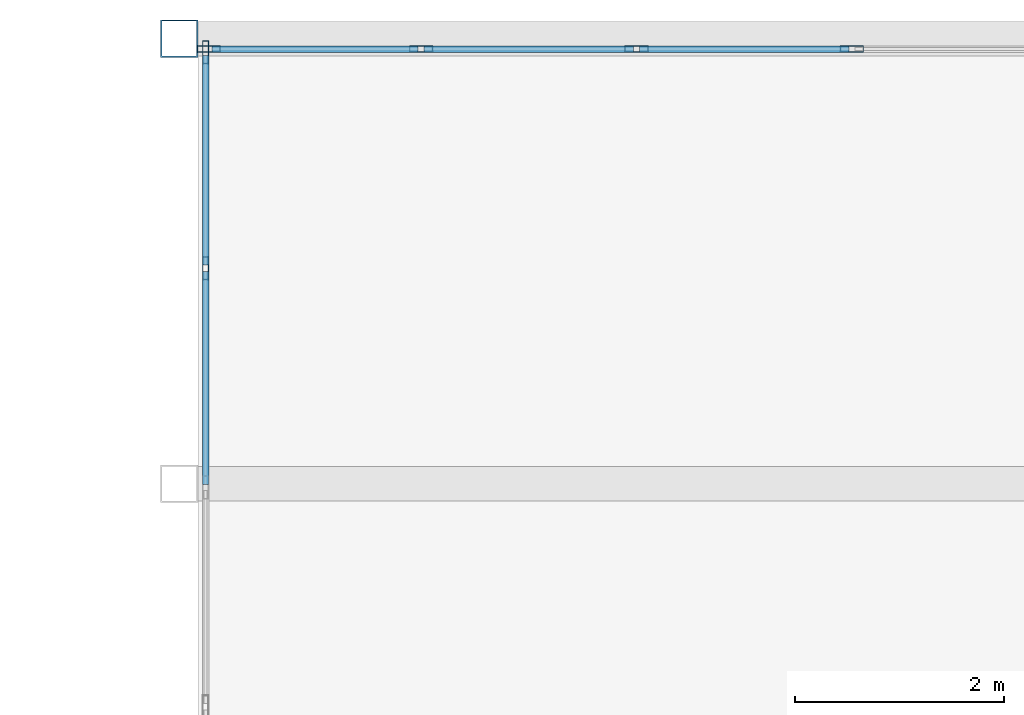
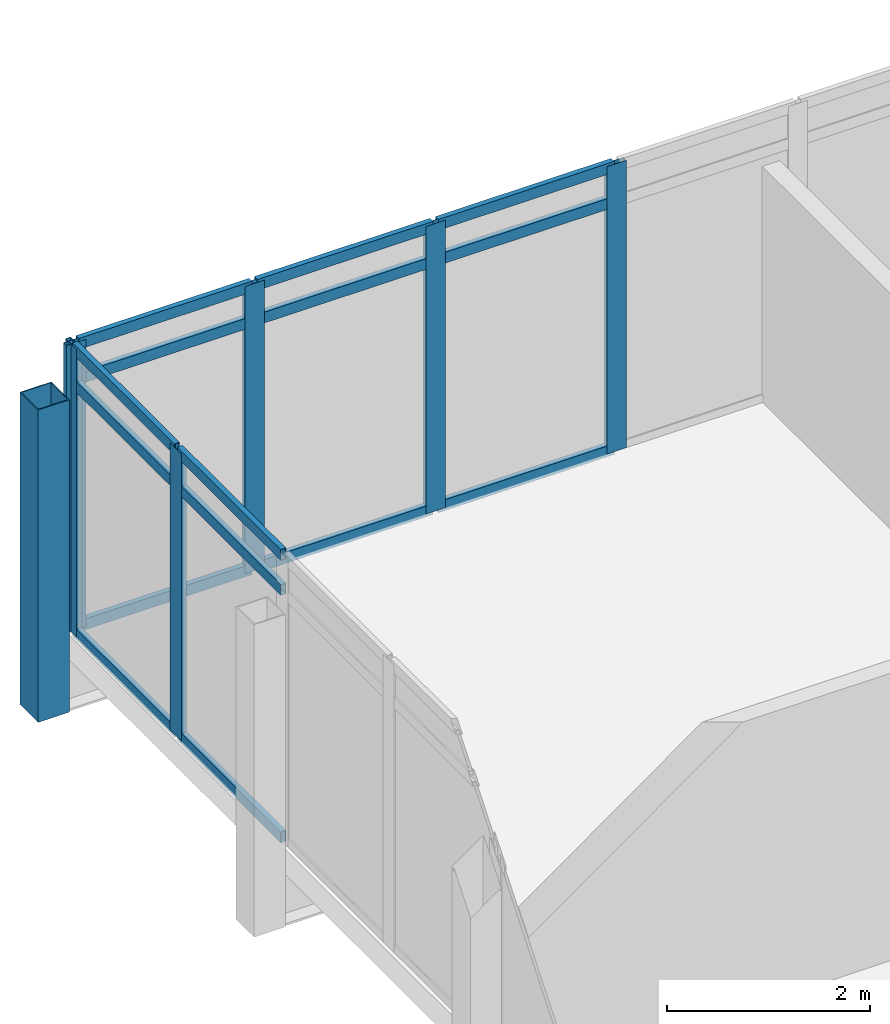
# One storey, part 18 of 38: 22 members, 2 elements without a shape of their own.
"""IFC4 building model written with IfcOpenShell, lengths in metres."""

from ifc_helpers import new_model, si_unit, direction, frame, origin, origin_2d, place, context, subcontext, project, spatial, hollow_rectangle, extrude, material, material_profile, profile_set, type_object, element, aggregate, save


model = new_model("IFC4")

# Units and contexts
model_context = context("Model", 3, precision=1e-05, world=origin(), true_north=direction((0.0, 1.0)))
body_context = subcontext(model_context, "Body", "Model", "MODEL_VIEW")
ifc_project = project(units=[si_unit("LENGTHUNIT", "METRE"), si_unit("AREAUNIT", "SQUARE_METRE"), si_unit("VOLUMEUNIT", "CUBIC_METRE"), si_unit("PLANEANGLEUNIT", "RADIAN"), si_unit("MASSUNIT", "GRAM", prefix="KILO")], contexts=[model_context])

# Site, building, storey
site_placement = place(None, origin())
site = spatial("IfcSite", under=ifc_project, at=site_placement, CompositionType="ELEMENT")
building_placement = place(site_placement, origin())
building = spatial("IfcBuilding", under=site, at=building_placement, Name="Ostrander Bayou Hotel Tower", CompositionType="ELEMENT")
storey_placement = place(building_placement, frame((0.0, 0.0, 96.75)))
storey = spatial("IfcBuildingStorey", under=building, at=storey_placement, Name="L24", CompositionType="ELEMENT", Elevation=96.75)

# Curtain wall, members
ifc_material_1 = material(Name="Aluminium and clear glass", Category="aluminium")
curtain_wall_type = type_object("IfcCurtainWallType", Name="CW-BAR glazed wall", PredefinedType="NOTDEFINED", material=ifc_material_1)
curtain_wall_1_placement = place(storey_placement, origin())
curtain_wall_1 = element("IfcCurtainWall", 1, at=curtain_wall_1_placement, inside=storey, type_object=curtain_wall_type, Name="CW-BAR L24:SB2N:E", PredefinedType="NOTDEFINED")
ifc_material_2 = material(Name="Aluminium", Category="aluminium")
ifc_material_profile_1 = material_profile(ifc_material_2, hollow_rectangle(XDim=0.06005859375, YDim=0.219970703125, WallThickness=0.00390625, at=origin_2d()))
ifc_profile_set_1 = profile_set([ifc_material_profile_1], Name="Aluminium")
member_type_1 = type_object("IfcMemberType", Name="CW-BR mullion 60 x 220 mm", PredefinedType="MULLION", material=ifc_profile_set_1)
member_1_placement = place(storey_placement, frame((-13.3671875, 29.352783203125, 0.0), z_axis=(0.0, 0.0, 1.0), x_axis=(-1.0, 0.0, 0.0)))
member_1 = element("IfcMember", 2, at=member_1_placement, type_object=member_type_1, Name="CW-BAR mullion 10", PredefinedType="MULLION", context=body_context, shape_type="SweptSolid", body=[
    extrude(hollow_rectangle(XDim=0.06005859375, YDim=0.219970703125, WallThickness=0.00390625, at=origin_2d()), origin(), (0.0, 0.0, 1.0), 3.449951171875),
])
member_2_placement = place(storey_placement, frame((-13.3671875, 31.415283203125, 0.0), z_axis=(0.0, 0.0, 1.0), x_axis=(-1.0, 0.0, 0.0)))
member_2 = element("IfcMember", 3, at=member_2_placement, type_object=member_type_1, Name="CW-BAR mullion 11", PredefinedType="MULLION", context=body_context, shape_type="SweptSolid", body=[
    extrude(hollow_rectangle(XDim=0.06005859375, YDim=0.219970703125, WallThickness=0.00390625, at=origin_2d()), origin(), (0.0, 0.0, 1.0), 3.449951171875),
])

curtain_wall_2_placement = place(storey_placement, origin())
curtain_wall_2 = element("IfcCurtainWall", 4, at=curtain_wall_2_placement, inside=storey, type_object=curtain_wall_type, Name="CW-BAR L24:SB2N:T", PredefinedType="NOTDEFINED")
member_3_placement = place(storey_placement, frame((-13.337158203125, 31.4453125, 0.0), z_axis=(0.0, 0.0, 1.0), x_axis=(0.0, 1.0, 0.0)))
member_3 = element("IfcMember", 5, at=member_3_placement, type_object=member_type_1, Name="CW-BAR mullion 1", PredefinedType="MULLION", context=body_context, shape_type="SweptSolid", body=[
    extrude(hollow_rectangle(XDim=0.06005859375, YDim=0.219970703125, WallThickness=0.00390625, at=origin_2d()), origin(), (0.0, 0.0, 1.0), 3.449951171875),
])
member_4_placement = place(storey_placement, frame((-11.310791015625, 31.4453125, 0.0), z_axis=(0.0, 0.0, 1.0), x_axis=(0.0, 1.0, 0.0)))
member_4 = element("IfcMember", 6, at=member_4_placement, type_object=member_type_1, Name="CW-BAR mullion 2", PredefinedType="MULLION", context=body_context, shape_type="SweptSolid", body=[
    extrude(hollow_rectangle(XDim=0.06005859375, YDim=0.219970703125, WallThickness=0.00390625, at=origin_2d()), origin(), (0.0, 0.0, 1.0), 3.449951171875),
])
member_5_placement = place(storey_placement, frame((-9.254150390625, 31.4453125, 0.0), z_axis=(0.0, 0.0, 1.0), x_axis=(0.0, 1.0, 0.0)))
member_5 = element("IfcMember", 7, at=member_5_placement, type_object=member_type_1, Name="CW-BAR mullion 3", PredefinedType="MULLION", context=body_context, shape_type="SweptSolid", body=[
    extrude(hollow_rectangle(XDim=0.06005859375, YDim=0.219970703125, WallThickness=0.00390625, at=origin_2d()), origin(), (0.0, 0.0, 1.0), 3.449951171875),
])
member_6_placement = place(storey_placement, frame((-7.19775390625, 31.4453125, 0.0), z_axis=(0.0, 0.0, 1.0), x_axis=(0.0, 1.0, 0.0)))
member_6 = element("IfcMember", 8, at=member_6_placement, type_object=member_type_1, Name="CW-BAR mullion 4", PredefinedType="MULLION", context=body_context, shape_type="SweptSolid", body=[
    extrude(hollow_rectangle(XDim=0.06005859375, YDim=0.219970703125, WallThickness=0.00390625, at=origin_2d()), origin(), (0.0, 0.0, 1.0), 3.449951171875),
])

# Member
ifc_material_3 = material(Name="Aluminium", Category="aluminium")
ifc_material_profile_2 = material_profile(ifc_material_3, hollow_rectangle(XDim=0.06005859375, YDim=0.1298828125, WallThickness=0.00390625, at=origin_2d()))
ifc_profile_set_2 = profile_set([ifc_material_profile_2], Name="Aluminium")
member_type_2 = type_object("IfcMemberType", Name="CW-BR transom 60 x 130 mm", PredefinedType="USERDEFINED", material=ifc_profile_set_2)
member_7_placement = place(storey_placement, frame((-13.3671875, 27.290283203125, 0.030029296875), z_axis=(0.0, 1.0, 0.0), x_axis=(-1.0, 0.0, 0.0)))
member_7 = element("IfcMember", 9, at=member_7_placement, type_object=member_type_2, Name="CW-BAR transom 9.1", ObjectType="TRANSOM", PredefinedType="USERDEFINED", context=body_context, shape_type="SweptSolid", body=[
    extrude(hollow_rectangle(XDim=0.06005859375, YDim=0.1298828125, WallThickness=0.00390625, at=origin_2d()), origin(), (0.0, 0.0, 1.0), 2.032470703125),
])

member_8_placement = place(storey_placement, frame((-13.3671875, 27.290283203125, 3.0), z_axis=(0.0, 1.0, 0.0), x_axis=(-1.0, 0.0, 0.0)))
member_8 = element("IfcMember", 10, at=member_8_placement, type_object=member_type_2, Name="CW-BAR transom 9.2", ObjectType="TRANSOM", PredefinedType="USERDEFINED", context=body_context, shape_type="SweptSolid", body=[
    extrude(hollow_rectangle(XDim=0.06005859375, YDim=0.1298828125, WallThickness=0.00390625, at=origin_2d()), origin(), (0.0, 0.0, 1.0), 2.032470703125),
])

member_9_placement = place(storey_placement, frame((-13.3671875, 27.290283203125, 3.419921875), z_axis=(0.0, 1.0, 0.0), x_axis=(-1.0, 0.0, 0.0)))
member_9 = element("IfcMember", 11, at=member_9_placement, type_object=member_type_2, Name="CW-BAR transom 9.3", ObjectType="TRANSOM", PredefinedType="USERDEFINED", context=body_context, shape_type="SweptSolid", body=[
    extrude(hollow_rectangle(XDim=0.06005859375, YDim=0.1298828125, WallThickness=0.00390625, at=origin_2d()), origin(), (0.0, 0.0, 1.0), 2.032470703125),
])

member_10_placement = place(storey_placement, frame((-13.3671875, 29.3828125, 0.030029296875), z_axis=(0.0, 1.0, 0.0), x_axis=(-1.0, 0.0, 0.0)))
member_10 = element("IfcMember", 12, at=member_10_placement, type_object=member_type_2, Name="CW-BAR transom 10.1", ObjectType="TRANSOM", PredefinedType="USERDEFINED", context=body_context, shape_type="SweptSolid", body=[
    extrude(hollow_rectangle(XDim=0.06005859375, YDim=0.1298828125, WallThickness=0.00390625, at=origin_2d()), origin(), (0.0, 0.0, 1.0), 2.002685546875),
])

member_11_placement = place(storey_placement, frame((-13.3671875, 29.3828125, 3.0), z_axis=(0.0, 1.0, 0.0), x_axis=(-1.0, 0.0, 0.0)))
member_11 = element("IfcMember", 13, at=member_11_placement, type_object=member_type_2, Name="CW-BAR transom 10.2", ObjectType="TRANSOM", PredefinedType="USERDEFINED", context=body_context, shape_type="SweptSolid", body=[
    extrude(hollow_rectangle(XDim=0.06005859375, YDim=0.1298828125, WallThickness=0.00390625, at=origin_2d()), origin(), (0.0, 0.0, 1.0), 2.002685546875),
])

member_12_placement = place(storey_placement, frame((-13.3671875, 29.3828125, 3.419921875), z_axis=(0.0, 1.0, 0.0), x_axis=(-1.0, 0.0, 0.0)))
member_12 = element("IfcMember", 14, at=member_12_placement, type_object=member_type_2, Name="CW-BAR transom 10.3", ObjectType="TRANSOM", PredefinedType="USERDEFINED", context=body_context, shape_type="SweptSolid", body=[
    extrude(hollow_rectangle(XDim=0.06005859375, YDim=0.1298828125, WallThickness=0.00390625, at=origin_2d()), origin(), (0.0, 0.0, 1.0), 2.002685546875),
])

aggregate(curtain_wall_1, [member_1, member_2, member_7, member_8, member_9, member_10, member_11, member_12])

member_13_placement = place(storey_placement, frame((-13.30712890625, 31.4453125, 0.030029296875), z_axis=(1.0, 0.0, 0.0), x_axis=(0.0, 1.0, 0.0)))
member_13 = element("IfcMember", 15, at=member_13_placement, type_object=member_type_2, Name="CW-BAR transom 1.1", ObjectType="TRANSOM", PredefinedType="USERDEFINED", context=body_context, shape_type="SweptSolid", body=[
    extrude(hollow_rectangle(XDim=0.06005859375, YDim=0.1298828125, WallThickness=0.00390625, at=origin_2d()), origin(), (0.0, 0.0, 1.0), 1.96630859375),
])

member_14_placement = place(storey_placement, frame((-13.30712890625, 31.4453125, 3.0), z_axis=(1.0, 0.0, 0.0), x_axis=(0.0, 1.0, 0.0)))
member_14 = element("IfcMember", 16, at=member_14_placement, type_object=member_type_2, Name="CW-BAR transom 1.2", ObjectType="TRANSOM", PredefinedType="USERDEFINED", context=body_context, shape_type="SweptSolid", body=[
    extrude(hollow_rectangle(XDim=0.06005859375, YDim=0.1298828125, WallThickness=0.00390625, at=origin_2d()), origin(), (0.0, 0.0, 1.0), 1.96630859375),
])

member_15_placement = place(storey_placement, frame((-13.30712890625, 31.4453125, 3.419921875), z_axis=(1.0, 0.0, 0.0), x_axis=(0.0, 1.0, 0.0)))
member_15 = element("IfcMember", 17, at=member_15_placement, type_object=member_type_2, Name="CW-BAR transom 1.3", ObjectType="TRANSOM", PredefinedType="USERDEFINED", context=body_context, shape_type="SweptSolid", body=[
    extrude(hollow_rectangle(XDim=0.06005859375, YDim=0.1298828125, WallThickness=0.00390625, at=origin_2d()), origin(), (0.0, 0.0, 1.0), 1.96630859375),
])

member_16_placement = place(storey_placement, frame((-11.28076171875, 31.4453125, 0.030029296875), z_axis=(1.0, 0.0, 0.0), x_axis=(0.0, 1.0, 0.0)))
member_16 = element("IfcMember", 18, at=member_16_placement, type_object=member_type_2, Name="CW-BAR transom 2.1", ObjectType="TRANSOM", PredefinedType="USERDEFINED", context=body_context, shape_type="SweptSolid", body=[
    extrude(hollow_rectangle(XDim=0.06005859375, YDim=0.1298828125, WallThickness=0.00390625, at=origin_2d()), origin(), (0.0, 0.0, 1.0), 1.99658203125),
])

member_17_placement = place(storey_placement, frame((-11.28076171875, 31.4453125, 3.0), z_axis=(1.0, 0.0, 0.0), x_axis=(0.0, 1.0, 0.0)))
member_17 = element("IfcMember", 19, at=member_17_placement, type_object=member_type_2, Name="CW-BAR transom 2.2", ObjectType="TRANSOM", PredefinedType="USERDEFINED", context=body_context, shape_type="SweptSolid", body=[
    extrude(hollow_rectangle(XDim=0.06005859375, YDim=0.1298828125, WallThickness=0.00390625, at=origin_2d()), origin(), (0.0, 0.0, 1.0), 1.99658203125),
])

member_18_placement = place(storey_placement, frame((-11.28076171875, 31.4453125, 3.419921875), z_axis=(1.0, 0.0, 0.0), x_axis=(0.0, 1.0, 0.0)))
member_18 = element("IfcMember", 20, at=member_18_placement, type_object=member_type_2, Name="CW-BAR transom 2.3", ObjectType="TRANSOM", PredefinedType="USERDEFINED", context=body_context, shape_type="SweptSolid", body=[
    extrude(hollow_rectangle(XDim=0.06005859375, YDim=0.1298828125, WallThickness=0.00390625, at=origin_2d()), origin(), (0.0, 0.0, 1.0), 1.99658203125),
])

member_19_placement = place(storey_placement, frame((-9.22412109375, 31.4453125, 0.030029296875), z_axis=(1.0, 0.0, 0.0), x_axis=(0.0, 1.0, 0.0)))
member_19 = element("IfcMember", 21, at=member_19_placement, type_object=member_type_2, Name="CW-BAR transom 3.1", ObjectType="TRANSOM", PredefinedType="USERDEFINED", context=body_context, shape_type="SweptSolid", body=[
    extrude(hollow_rectangle(XDim=0.06005859375, YDim=0.1298828125, WallThickness=0.00390625, at=origin_2d()), origin(), (0.0, 0.0, 1.0), 1.996337890625),
])

member_20_placement = place(storey_placement, frame((-9.22412109375, 31.4453125, 3.0), z_axis=(1.0, 0.0, 0.0), x_axis=(0.0, 1.0, 0.0)))
member_20 = element("IfcMember", 22, at=member_20_placement, type_object=member_type_2, Name="CW-BAR transom 3.2", ObjectType="TRANSOM", PredefinedType="USERDEFINED", context=body_context, shape_type="SweptSolid", body=[
    extrude(hollow_rectangle(XDim=0.06005859375, YDim=0.1298828125, WallThickness=0.00390625, at=origin_2d()), origin(), (0.0, 0.0, 1.0), 1.996337890625),
])

member_21_placement = place(storey_placement, frame((-9.22412109375, 31.4453125, 3.419921875), z_axis=(1.0, 0.0, 0.0), x_axis=(0.0, 1.0, 0.0)))
member_21 = element("IfcMember", 23, at=member_21_placement, type_object=member_type_2, Name="CW-BAR transom 3.3", ObjectType="TRANSOM", PredefinedType="USERDEFINED", context=body_context, shape_type="SweptSolid", body=[
    extrude(hollow_rectangle(XDim=0.06005859375, YDim=0.1298828125, WallThickness=0.00390625, at=origin_2d()), origin(), (0.0, 0.0, 1.0), 1.996337890625),
])

aggregate(curtain_wall_2, [member_3, member_4, member_5, member_6, member_13, member_14, member_15, member_16, member_17, member_18, member_19, member_20, member_21])

ifc_material_4 = material(Name="Steel ASTM A500 Gr C", Category="steel")
ifc_material_profile_3 = material_profile(ifc_material_4, hollow_rectangle(XDim=0.355712890625, YDim=0.355712890625, WallThickness=0.01171875, at=origin_2d()))
ifc_profile_set_3 = profile_set([ifc_material_profile_3], Name="Steel ASTM A500 Gr C")
member_type_3 = type_object("IfcMemberType", Name="TH2 bar hanger HSS14x14x1/2", PredefinedType="POST", material=ifc_profile_set_3)
member_22_placement = place(storey_placement, frame((-13.6201171875, 31.54541015625, -0.921875), z_axis=(0.0, 0.0, 1.0), x_axis=(1.0, 0.0, 0.0)))
element("IfcMember", 24, at=member_22_placement, inside=storey, type_object=member_type_3, Name="TH2 SB2WA H1-2", PredefinedType="POST", context=body_context, shape_type="SweptSolid", body=[
    extrude(hollow_rectangle(XDim=0.355712890625, YDim=0.355712890625, WallThickness=0.01171875, at=origin_2d()), origin(), (0.0, 0.0, 1.0), 3.75),
])

save(model, "model.ifc")
